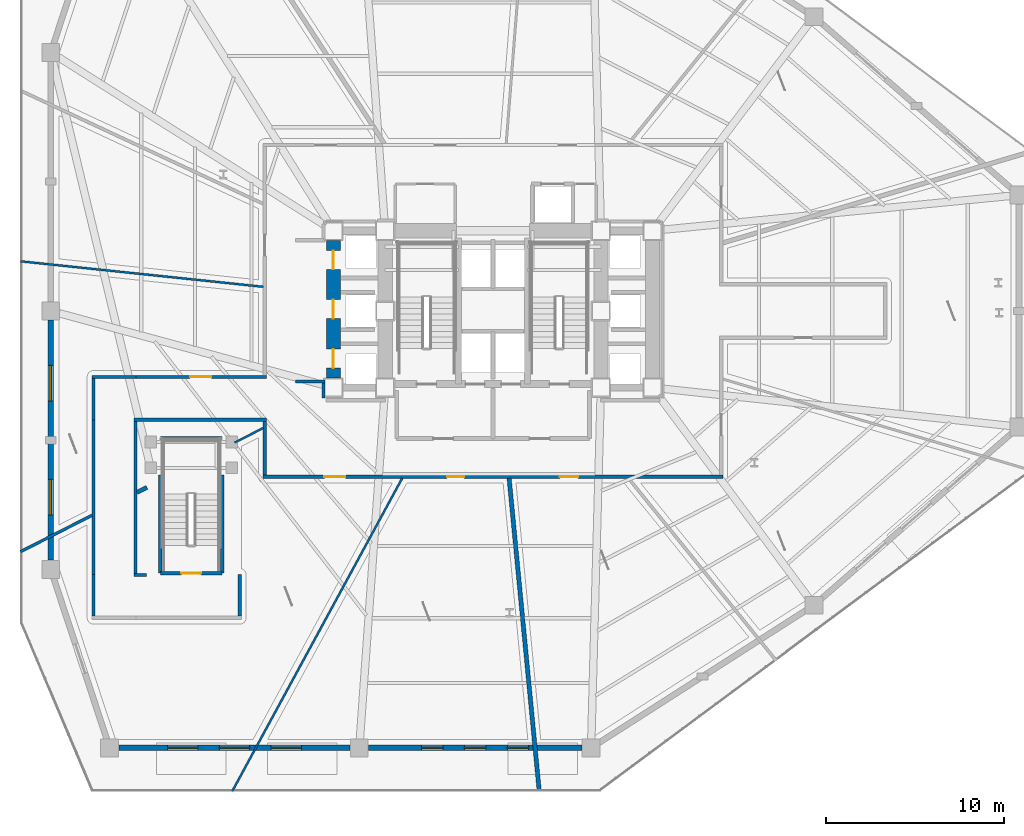
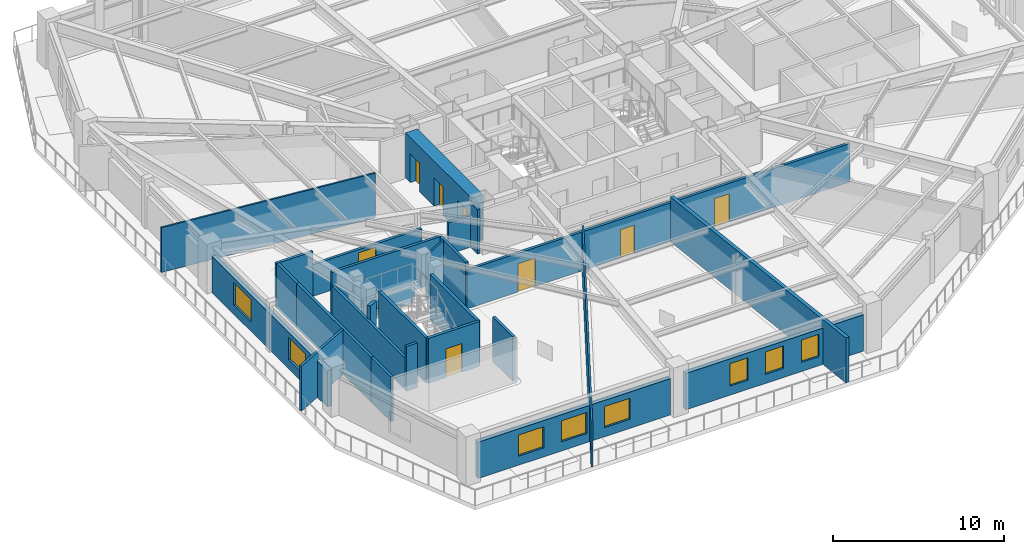
# One storey, part 3 of 10: 27 walls, 8 doors, 8 windows, 16 openings.
"""IFC4 building model written with IfcOpenShell, lengths in metres."""

from ifc_helpers import new_model, si_unit, direction, frame, frame_2d, origin, place, context, subcontext, project, spatial, rectangle, extrude, material, layer, layer_set, type_object, element, fill, save


model = new_model("IFC4")

# Units and contexts
model_context = context("Model", 3, precision=1e-05, world=origin(), true_north=direction((0.0, 1.0)))
body_context = subcontext(model_context, "Body", "Model", "MODEL_VIEW")
ifc_project = project(units=[si_unit("LENGTHUNIT", "METRE"), si_unit("AREAUNIT", "SQUARE_METRE"), si_unit("VOLUMEUNIT", "CUBIC_METRE"), si_unit("PLANEANGLEUNIT", "RADIAN"), si_unit("MASSUNIT", "GRAM", prefix="KILO")], contexts=[model_context])

# Site, building, storey
site_placement = place(None, origin())
site = spatial("IfcSite", under=ifc_project, at=site_placement, CompositionType="ELEMENT")
building_placement = place(site_placement, origin())
building = spatial("IfcBuilding", under=site, at=building_placement, Name="Rocaltana Carrier Exchange", CompositionType="ELEMENT")
storey_placement = place(building_placement, frame((0.0, 0.0, 4.800048828125)))
storey = spatial("IfcBuildingStorey", under=building, at=storey_placement, Name="L02", CompositionType="ELEMENT", Elevation=4.800048828125)

# Wall
ifc_material_1 = material(Name="Double Acoustic Gypsum Partition", Category="gypsum")
ifc_layer_1 = layer(ifc_material_1, 0.159912109375)
ifc_layer_set_1 = layer_set([ifc_layer_1], Name="Double Acoustic Gypsum Partition")
wall_type_1 = type_object("IfcWallType", Name="Acoustic Studio Partition 160 EI60", PredefinedType="PARTITIONING", material=ifc_layer_set_1)
wall_1_placement = place(storey_placement, frame((-22.47998046875, -11.4541015625, 0.0), z_axis=(0.0, 0.0, 1.0), x_axis=(-0.891005547882, -0.453992415843, 0.0)))
element("IfcWall", 1, at=wall_1_placement, inside=storey, type_object=wall_type_1, Name="L02 Suite Divider Wall D3", PredefinedType="PARTITIONING", context=body_context, shape_type="SweptSolid", body=[
    extrude(rectangle(XDim=4.50048828125, YDim=0.159912109375, at=frame_2d((2.250244140625, 0.0))), origin(), (0.0, 0.0, 1.0), 3.19287109375),
])

# Wall, openings, doors
ifc_material_2 = material(Name="Concrete C60/75", Category="concrete")
ifc_layer_2 = layer(ifc_material_2, 0.800048828125)
ifc_layer_set_2 = layer_set([ifc_layer_2], Name="Concrete C60/75")
wall_type_2 = type_object("IfcWallType", Name="Core Shear Wall 800", PredefinedType="SHEAR", material=ifc_layer_set_2)
wall_2_placement = place(storey_placement, frame((-8.949951171875, -3.75, 0.0), z_axis=(0.0, 0.0, 1.0), x_axis=(0.0, 1.0, 0.0)))
wall_2 = element("IfcWall", 2, at=wall_2_placement, inside=storey, type_object=wall_type_2, Name="L02 Core Shear Wall CW-WW", PredefinedType="SHEAR", context=body_context, shape_type="SweptSolid", body=[
    extrude(rectangle(XDim=7.699951171875, YDim=0.800048828125, at=frame_2d((3.85009765625, 0.0))), origin(), (0.0, 0.0, 1.0), 3.218017578125),
])
opening_1_placement = place(wall_2_placement, frame((0.550048828125, 0.0, 0.0)))
opening_1 = element("IfcOpeningElement", 3, at=opening_1_placement, cuts=wall_2, Name="Opening LD-110", PredefinedType="OPENING", context=body_context, shape_type="SweptSolid", body=[
    extrude(rectangle(XDim=1.06005859375, YDim=2.0400390625, at=frame_2d((0.530029296875, 1.02001953125))), frame((0.0, 0.409912109375, 0.0), z_axis=(0.0, -1.0, 0.0), x_axis=(1.0, 0.0, 0.0)), (0.0, 0.0, 1.0), 0.820068359375),
])
opening_2_placement = place(wall_2_placement, frame((3.320068359375, 0.0, 0.0)))
opening_2 = element("IfcOpeningElement", 4, at=opening_2_placement, cuts=wall_2, Name="Opening LD-110", PredefinedType="OPENING", context=body_context, shape_type="SweptSolid", body=[
    extrude(rectangle(XDim=1.06005859375, YDim=2.0400390625, at=frame_2d((0.530029296875, 1.02001953125))), frame((0.0, 0.409912109375, 0.0), z_axis=(0.0, -1.0, 0.0), x_axis=(1.0, 0.0, 0.0)), (0.0, 0.0, 1.0), 0.820068359375),
])
opening_3_placement = place(wall_2_placement, frame((6.080078125, 0.0, 0.0)))
opening_3 = element("IfcOpeningElement", 5, at=opening_3_placement, cuts=wall_2, Name="Opening LD-110", PredefinedType="OPENING", context=body_context, shape_type="SweptSolid", body=[
    extrude(rectangle(XDim=1.06005859375, YDim=2.0400390625, at=frame_2d((0.530029296875, 1.02001953125))), frame((0.0, 0.409912109375, 0.0), z_axis=(0.0, -1.0, 0.0), x_axis=(1.0, 0.0, 0.0)), (0.0, 0.0, 1.0), 0.820068359375),
])
ifc_material_3 = material(Name="Brushed Stainless Sliding Door Leaf", Category="steel")
door_type_1 = type_object("IfcDoorType", Name="Lift Landing Sliding Door 1060x2040", OperationType="NOTDEFINED", PredefinedType="DOOR", material=ifc_material_3)
door_1_placement = place(opening_1_placement, origin())
door_1 = element("IfcDoor", 6, at=door_1_placement, inside=storey, type_object=door_type_1, Name="L02 Low-Rise Lift PL-L1 Landing Door", OperationType="SLIDING_TO_LEFT", OverallHeight=2.0400390625, OverallWidth=1.06005859375, PredefinedType="DOOR", context=body_context, shape_type="SweptSolid", body=[
    extrude(rectangle(XDim=1.06005859375, YDim=2.0400390625, at=frame_2d((0.530029296875, 1.02001953125))), frame((0.0, 0.02490234375, 0.0), z_axis=(0.0, -1.0, 0.0), x_axis=(1.0, 0.0, 0.0)), (0.0, 0.0, 1.0), 0.050048828125),
])
fill(opening_1, door_1)
door_2_placement = place(opening_2_placement, origin())
door_2 = element("IfcDoor", 7, at=door_2_placement, inside=storey, type_object=door_type_1, Name="L02 Low-Rise Lift PL-L2 Landing Door", OperationType="SLIDING_TO_RIGHT", OverallHeight=2.0400390625, OverallWidth=1.06005859375, PredefinedType="DOOR", context=body_context, shape_type="SweptSolid", body=[
    extrude(rectangle(XDim=1.06005859375, YDim=2.0400390625, at=frame_2d((0.530029296875, 1.02001953125))), frame((0.0, 0.02490234375, 0.0), z_axis=(0.0, -1.0, 0.0), x_axis=(1.0, 0.0, 0.0)), (0.0, 0.0, 1.0), 0.050048828125),
])
fill(opening_2, door_2)
door_3_placement = place(opening_3_placement, origin())
door_3 = element("IfcDoor", 8, at=door_3_placement, inside=storey, type_object=door_type_1, Name="L02 Low-Rise Lift PL-L3 Landing Door", OperationType="SLIDING_TO_LEFT", OverallHeight=2.0400390625, OverallWidth=1.06005859375, PredefinedType="DOOR", context=body_context, shape_type="SweptSolid", body=[
    extrude(rectangle(XDim=1.06005859375, YDim=2.0400390625, at=frame_2d((0.530029296875, 1.02001953125))), frame((0.0, 0.02490234375, 0.0), z_axis=(0.0, -1.0, 0.0), x_axis=(1.0, 0.0, 0.0)), (0.0, 0.0, 1.0), 0.050048828125),
])
fill(opening_3, door_3)

# Walls
ifc_material_4 = material(Name="Gypsum & Steel Stud Partition", Category="steel")
ifc_layer_3 = layer(ifc_material_4, 0.179931640625)
ifc_layer_set_3 = layer_set([ifc_layer_3], Name="Gypsum & Steel Stud Partition")
wall_type_3 = type_object("IfcWallType", Name="Corridor Fire Partition 180 EI60", PredefinedType="PARTITIONING", material=ifc_layer_set_3)
wall_3_placement = place(storey_placement, frame((-22.39990234375, -17.110107421875, 0.0), z_axis=(0.0, 0.0, 1.0), x_axis=(0.0, 1.0, 0.0)))
element("IfcWall", 9, at=wall_3_placement, inside=storey, type_object=wall_type_3, Name="L02 Corridor Partition 2", PredefinedType="PARTITIONING", context=body_context, shape_type="SweptSolid", body=[
    extrude(rectangle(XDim=2.330078125, YDim=0.179931640625, at=frame_2d((1.1650390625, 0.0))), origin(), (0.0, 0.0, 1.0), 3.19287109375),
])
wall_4_placement = place(storey_placement, frame((-22.39990234375, -14.820068359375, 0.0), z_axis=(0.0, 0.0, 1.0), x_axis=(0.0, 1.0, 0.0)))
element("IfcWall", 10, at=wall_4_placement, inside=storey, type_object=wall_type_3, Name="L02 Corridor Partition 3", PredefinedType="PARTITIONING", context=body_context, shape_type="SweptSolid", body=[
    extrude(rectangle(XDim=8.739990234375, YDim=0.179931640625, at=frame_2d((4.3701171875, 0.0))), origin(), (0.0, 0.0, 1.0), 3.19287109375),
])
wall_5_placement = place(storey_placement, frame((-22.39990234375, -6.1201171875, 0.0), z_axis=(0.0, 0.0, 1.0), x_axis=(0.0, 1.0, 0.0)))
element("IfcWall", 11, at=wall_5_placement, inside=storey, type_object=wall_type_3, Name="L02 Corridor Partition 4", PredefinedType="PARTITIONING", context=body_context, shape_type="SweptSolid", body=[
    extrude(rectangle(XDim=2.330078125, YDim=0.179931640625, at=frame_2d((1.1650390625, 0.0))), origin(), (0.0, 0.0, 1.0), 3.19287109375),
])
wall_6_placement = place(storey_placement, frame((-22.489990234375, -3.699951171875, 0.0), z_axis=(0.0, 0.0, 1.0), x_axis=(1.0, 0.0, 0.0)))
element("IfcWall", 12, at=wall_6_placement, inside=storey, type_object=wall_type_3, Name="L02 Corridor Partition 5", PredefinedType="PARTITIONING", context=body_context, shape_type="SweptSolid", body=[
    extrude(rectangle(XDim=2.4599609375, YDim=0.179931640625, at=frame_2d((1.22998046875, 0.0))), origin(), (0.0, 0.0, 1.0), 3.19287109375),
])

# Wall, opening, door
wall_7_placement = place(storey_placement, frame((-20.070068359375, -3.699951171875, 0.0), z_axis=(0.0, 0.0, 1.0), x_axis=(1.0, 0.0, 0.0)))
wall_7 = element("IfcWall", 13, at=wall_7_placement, inside=storey, type_object=wall_type_3, Name="L02 Corridor Partition 6", PredefinedType="PARTITIONING", context=body_context, shape_type="SweptSolid", body=[
    extrude(rectangle(XDim=7.360107421875, YDim=0.179931640625, at=frame_2d((3.68017578125, 0.0))), origin(), (0.0, 0.0, 1.0), 2.245849609375),
])
opening_4_placement = place(wall_7_placement, frame((3.090087890625, 0.0, 0.0)))
opening_4 = element("IfcOpeningElement", 14, at=opening_4_placement, cuts=wall_7, Name="Opening D-SU120", PredefinedType="OPENING", context=body_context, shape_type="SweptSolid", body=[
    extrude(rectangle(XDim=1.179931640625, YDim=2.02001953125, at=frame_2d((0.58984375, 1.010009765625))), frame((0.0, 0.099853515625, 0.0), z_axis=(0.0, -1.0, 0.0), x_axis=(1.0, 0.0, 0.0)), (0.0, 0.0, 1.0), 0.199951171875),
])
ifc_material_5 = material(Name="Engineered Hardwood Timber", Category="wood")
door_type_2 = type_object("IfcDoorType", Name="Suite Double Entrance Door 1180x2020", OperationType="NOTDEFINED", PredefinedType="DOOR", material=ifc_material_5)
door_4_placement = place(opening_4_placement, origin())
door_4 = element("IfcDoor", 15, at=door_4_placement, inside=storey, type_object=door_type_2, Name="L02 Carrier Peering Suite Entrance Door", OperationType="SINGLE_SWING_LEFT", OverallHeight=2.02001953125, OverallWidth=1.179931640625, PredefinedType="DOOR", context=body_context, shape_type="SweptSolid", body=[
    extrude(rectangle(XDim=1.179931640625, YDim=2.02001953125, at=frame_2d((0.58984375, 1.010009765625))), frame((0.0, 0.02490234375, 0.0), z_axis=(0.0, -1.0, 0.0), x_axis=(1.0, 0.0, 0.0)), (0.0, 0.0, 1.0), 0.050048828125),
])
fill(opening_4, door_4)

# Wall, openings, doors
wall_8_placement = place(storey_placement, frame((12.889892578125, -9.300048828125, 0.0), z_axis=(0.0, 0.0, 1.0), x_axis=(-1.0, 0.0, 0.0)))
wall_8 = element("IfcWall", 16, at=wall_8_placement, inside=storey, type_object=wall_type_3, Name="L02 Corridor Partition 14", PredefinedType="PARTITIONING", context=body_context, shape_type="SweptSolid", body=[
    extrude(rectangle(XDim=25.77978515625, YDim=0.179931640625, at=frame_2d((12.889892578125, 0.0))), origin(), (0.0, 0.0, 1.0), 2.760009765625),
])
opening_5_placement = place(wall_8_placement, frame((21.166748046875, 0.0, 0.0)))
opening_5 = element("IfcOpeningElement", 17, at=opening_5_placement, cuts=wall_8, Name="Opening D-SU120", PredefinedType="OPENING", context=body_context, shape_type="SweptSolid", body=[
    extrude(rectangle(XDim=1.179931640625, YDim=2.02001953125, at=frame_2d((0.58984375, 1.010009765625))), frame((0.0, 0.099853515625, 0.0), z_axis=(0.0, -1.0, 0.0), x_axis=(1.0, 0.0, 0.0)), (0.0, 0.0, 1.0), 0.199951171875),
])
opening_6_placement = place(wall_8_placement, frame((14.5068359375, 0.0, 0.0)))
opening_6 = element("IfcOpeningElement", 18, at=opening_6_placement, cuts=wall_8, Name="Opening D-RM098", PredefinedType="OPENING", context=body_context, shape_type="SweptSolid", body=[
    extrude(rectangle(XDim=0.9599609375, YDim=2.02001953125, at=frame_2d((0.47998046875, 1.010009765625))), frame((0.0, 0.099853515625, 0.0), z_axis=(0.0, -1.0, 0.0), x_axis=(1.0, 0.0, 0.0)), (0.0, 0.0, 1.0), 0.199951171875),
])
opening_7_placement = place(wall_8_placement, frame((8.119140625, 0.0, 0.0)))
opening_7 = element("IfcOpeningElement", 19, at=opening_7_placement, cuts=wall_8, Name="Opening D-LB104", PredefinedType="OPENING", context=body_context, shape_type="SweptSolid", body=[
    extrude(rectangle(XDim=1.02001953125, YDim=2.02001953125, at=frame_2d((0.510009765625, 1.010009765625))), frame((0.0, 0.099853515625, 0.0), z_axis=(0.0, -1.0, 0.0), x_axis=(1.0, 0.0, 0.0)), (0.0, 0.0, 1.0), 0.199951171875),
])
ifc_material_6 = material(Name="Powder-Coated Aluminium 6063-T6", Category="aluminium")
door_type_3 = type_object("IfcDoorType", Name="Laboratory Acoustic Door 1020x2020", OperationType="NOTDEFINED", PredefinedType="DOOR", material=ifc_material_6)
door_5_placement = place(opening_7_placement, origin())
door_5 = element("IfcDoor", 20, at=door_5_placement, inside=storey, type_object=door_type_3, Name="L02 Optical Switching Laboratory Entrance Door", OperationType="SINGLE_SWING_RIGHT", OverallHeight=2.02001953125, OverallWidth=1.02001953125, PredefinedType="DOOR", context=body_context, shape_type="SweptSolid", body=[
    extrude(rectangle(XDim=1.02001953125, YDim=2.02001953125, at=frame_2d((0.510009765625, 1.010009765625))), frame((0.0, 0.02490234375, 0.0), z_axis=(0.0, -1.0, 0.0), x_axis=(1.0, 0.0, 0.0)), (0.0, 0.0, 1.0), 0.050048828125),
])
fill(opening_7, door_5)
door_6_placement = place(opening_5_placement, origin())
door_6 = element("IfcDoor", 21, at=door_6_placement, inside=storey, type_object=door_type_2, Name="L02 Carrier Peering Suite Entrance Door", OperationType="SINGLE_SWING_RIGHT", OverallHeight=2.02001953125, OverallWidth=1.179931640625, PredefinedType="DOOR", context=body_context, shape_type="SweptSolid", body=[
    extrude(rectangle(XDim=1.179931640625, YDim=2.02001953125, at=frame_2d((0.58984375, 1.010009765625))), frame((0.0, 0.02490234375, 0.0), z_axis=(0.0, -1.0, 0.0), x_axis=(1.0, 0.0, 0.0)), (0.0, 0.0, 1.0), 0.050048828125),
])
fill(opening_5, door_6)
ifc_material_7 = material(Name="Engineered Hardwood Timber", Category="wood")
door_type_4 = type_object("IfcDoorType", Name="Workspace Single Door 960x2020", OperationType="NOTDEFINED", PredefinedType="DOOR", material=ifc_material_7)
door_7_placement = place(opening_6_placement, origin())
door_7 = element("IfcDoor", 22, at=door_7_placement, inside=storey, type_object=door_type_4, Name="L02 Cloud Architecture Office Entrance Door", OperationType="SINGLE_SWING_LEFT", OverallHeight=2.02001953125, OverallWidth=0.9599609375, PredefinedType="DOOR", context=body_context, shape_type="SweptSolid", body=[
    extrude(rectangle(XDim=0.9599609375, YDim=2.02001953125, at=frame_2d((0.47998046875, 1.010009765625))), frame((0.0, 0.02490234375, 0.0), z_axis=(0.0, -1.0, 0.0), x_axis=(1.0, 0.0, 0.0)), (0.0, 0.0, 1.0), 0.050048828125),
])
fill(opening_6, door_7)

# Walls
wall_9_placement = place(storey_placement, frame((-12.800048828125, -9.2099609375, 0.0), z_axis=(0.0, 0.0, 1.0), x_axis=(0.0, 1.0, 0.0)))
element("IfcWall", 23, at=wall_9_placement, inside=storey, type_object=wall_type_3, Name="L02 Corridor Partition 15", PredefinedType="PARTITIONING", context=body_context, shape_type="SweptSolid", body=[
    extrude(rectangle(XDim=3.02001953125, YDim=0.179931640625, at=frame_2d((1.510009765625, 0.0))), origin(), (0.0, 0.0, 1.0), 3.19287109375),
])
wall_10_placement = place(storey_placement, frame((-12.7099609375, -6.10009765625, 0.0), z_axis=(0.0, 0.0, 1.0), x_axis=(-1.0, 0.0, 0.0)))
element("IfcWall", 24, at=wall_10_placement, inside=storey, type_object=wall_type_3, Name="L02 Corridor Partition 16", PredefinedType="PARTITIONING", context=body_context, shape_type="SweptSolid", body=[
    extrude(rectangle(XDim=7.429931640625, YDim=0.179931640625, at=frame_2d((3.71484375, 0.0))), origin(), (0.0, 0.0, 1.0), 3.19287109375),
])
wall_11_placement = place(storey_placement, frame((-20.050048828125, -6.18994140625, 0.0), z_axis=(0.0, 0.0, 1.0), x_axis=(0.0, -1.0, 0.0)))
element("IfcWall", 25, at=wall_11_placement, inside=storey, type_object=wall_type_3, Name="L02 Corridor Partition 17", PredefinedType="PARTITIONING", context=body_context, shape_type="SweptSolid", body=[
    extrude(rectangle(XDim=8.52001953125, YDim=0.179931640625, at=frame_2d((4.260009765625, 0.0))), origin(), (0.0, 0.0, 1.0), 2.245849609375),
])
wall_12_placement = place(storey_placement, frame((-20.139892578125, -14.800048828125, 0.0), z_axis=(0.0, 0.0, 1.0), x_axis=(1.0, 0.0, 0.0)))
element("IfcWall", 26, at=wall_12_placement, inside=storey, type_object=wall_type_3, Name="L02 Corridor Partition 18", PredefinedType="PARTITIONING", context=body_context, shape_type="SweptSolid", body=[
    extrude(rectangle(XDim=0.7099609375, YDim=0.179931640625, at=frame_2d((0.35498046875, 0.0))), origin(), (0.0, 0.0, 1.0), 3.19287109375),
])
wall_13_placement = place(storey_placement, frame((-14.199951171875, -14.780029296875, 0.0), z_axis=(0.0, 0.0, 1.0), x_axis=(0.0, -1.0, 0.0)))
element("IfcWall", 27, at=wall_13_placement, inside=storey, type_object=wall_type_3, Name="L02 Corridor Partition 19", PredefinedType="PARTITIONING", context=body_context, shape_type="SweptSolid", body=[
    extrude(rectangle(XDim=2.330078125, YDim=0.179931640625, at=frame_2d((1.1650390625, 0.0))), origin(), (0.0, 0.0, 1.0), 3.19287109375),
])
wall_14_placement = place(storey_placement, frame((-11.070068359375, -3.9599609375, 0.0), z_axis=(0.0, 0.0, 1.0), x_axis=(1.0, 0.0, 0.0)))
element("IfcWall", 28, at=wall_14_placement, inside=storey, type_object=wall_type_3, Name="L02 Corridor Partition 21", PredefinedType="PARTITIONING", context=body_context, shape_type="SweptSolid", body=[
    extrude(rectangle(XDim=1.650146484375, YDim=0.179931640625, at=frame_2d((0.8251953125, 0.0))), origin(), (0.0, 0.0, 1.0), 2.245849609375),
])
wall_15_placement = place(storey_placement, frame((-9.510009765625, -4.050048828125, 0.0), z_axis=(0.0, 0.0, 1.0), x_axis=(0.0, -1.0, 0.0)))
element("IfcWall", 29, at=wall_15_placement, inside=storey, type_object=wall_type_3, Name="L02 Corridor Partition 22", PredefinedType="PARTITIONING", context=body_context, shape_type="SweptSolid", body=[
    extrude(rectangle(XDim=0.820068359375, YDim=0.179931640625, at=frame_2d((0.41015625, 0.0))), origin(), (0.0, 0.0, 1.0), 3.19287109375),
])
ifc_material_8 = material(Name="Aluminium 6063-T6 & Acoustic Glass", Category="aluminium")
ifc_layer_4 = layer(ifc_material_8, 0.114990234375)
ifc_layer_set_4 = layer_set([ifc_layer_4], Name="Aluminium 6063-T6 & Acoustic Glass")
wall_type_4 = type_object("IfcWallType", Name="Demountable Glazed Lab Partition 115", PredefinedType="MOVABLE", material=ifc_layer_set_4)
wall_16_placement = place(storey_placement, frame((-12.8798828125, -6.562744140625, 0.0), z_axis=(0.0, 0.0, 1.0), x_axis=(-0.891024030563, -0.453956139908, 0.0)))
element("IfcWall", 30, at=wall_16_placement, inside=storey, type_object=wall_type_4, Name="L02 Suite Divider Wall D1", PredefinedType="MOVABLE", context=body_context, shape_type="SweptSolid", body=[
    extrude(rectangle(XDim=1.80712890625, YDim=0.114990234375, at=frame_2d((0.903564453125, 0.0))), origin(), (0.0, 0.0, 1.0), 3.19287109375),
])
wall_17_placement = place(storey_placement, frame((-5.093017578125, -9.3798828125, 0.0), z_axis=(0.0, 0.0, 1.0), x_axis=(-0.477152799659, -0.878820348978, 0.0)))
element("IfcWall", 31, at=wall_17_placement, inside=storey, type_object=wall_type_4, Name="L02 Suite Divider Wall D4", PredefinedType="MOVABLE", context=body_context, shape_type="SweptSolid", body=[
    extrude(rectangle(XDim=19.9814453125, YDim=0.114990234375, at=frame_2d((9.99072265625, 0.0))), origin(), (0.0, 0.0, 1.0), 3.19287109375),
])
wall_18_placement = place(storey_placement, frame((-12.8798828125, 1.353759765625, 0.0), z_axis=(0.0, 0.0, 1.0), x_axis=(-0.994522351217, 0.104524126066, 0.0)))
element("IfcWall", 32, at=wall_18_placement, inside=storey, type_object=wall_type_4, Name="L02 Suite Divider Wall D13", PredefinedType="MOVABLE", context=body_context, shape_type="SweptSolid", body=[
    extrude(rectangle(XDim=13.68505859375, YDim=0.114990234375, at=frame_2d((6.842529296875, 0.0))), origin(), (0.0, 0.0, 1.0), 3.19287109375),
])
ifc_material_9 = material(Name="Acoustic Calcium Silicate Partition", Category="gypsum")
ifc_layer_5 = layer(ifc_material_9, 0.239990234375)
ifc_layer_set_5 = layer_set([ifc_layer_5], Name="Acoustic Calcium Silicate Partition")
wall_type_5 = type_object("IfcWallType", Name="Heavy Lab Partition 240 EI90", PredefinedType="PARTITIONING", material=ifc_layer_set_5)
wall_19_placement = place(storey_placement, frame((-19.409912109375, -9.889892578125, 0.0), z_axis=(0.0, 0.0, 1.0), x_axis=(-0.890983173506, -0.454036325121, 0.0)))
element("IfcWall", 33, at=wall_19_placement, inside=storey, type_object=wall_type_5, Name="L02 Suite Divider Wall D2", PredefinedType="PARTITIONING", context=body_context, shape_type="SweptSolid", body=[
    extrude(rectangle(XDim=0.628662109375, YDim=0.239990234375, at=frame_2d((0.314453125, 0.0))), origin(), (0.0, 0.0, 1.0), 3.19287109375),
])
wall_20_placement = place(storey_placement, frame((0.9033203125, -9.3798828125, 0.0), z_axis=(0.0, 0.0, 1.0), x_axis=(0.095836344943, -0.995397104169, 0.0)))
element("IfcWall", 34, at=wall_20_placement, inside=storey, type_object=wall_type_5, Name="L02 Suite Divider Wall D5", PredefinedType="PARTITIONING", context=body_context, shape_type="SweptSolid", body=[
    extrude(rectangle(XDim=17.641357421875, YDim=0.239990234375, at=frame_2d((8.82080078125, 0.0))), origin(), (0.0, 0.0, 1.0), 3.19287109375),
])
ifc_material_10 = material(Name="Reinforced Concrete Block C35/45", Category="concrete")
ifc_layer_6 = layer(ifc_material_10, 0.199951171875)
ifc_layer_set_6 = layer_set([ifc_layer_6], Name="Reinforced Concrete Block C35/45")
wall_type_6 = type_object("IfcWallType", Name="Lift Hoistway Enclosure Wall 200 EI120", PredefinedType="PARTITIONING", material=ifc_layer_set_6)
for number, where, z_axis, x_axis, name in (
    (35, (-18.64990234375, -14.699951171875, 0.0), (0.0, 0.0, 1.0), (0.0, 1.0, 0.0), "L02 Podium Stair ST-3 West Wall"),
    (36, (-15.18994140625, -14.699951171875, 0.0), (0.0, 0.0, 1.0), (0.0, 1.0, 0.0), "L02 Podium Stair ST-3 East Wall"),
):
    element("IfcWall", number, at=place(storey_placement, frame(where, z_axis=z_axis, x_axis=x_axis)), inside=storey, type_object=wall_type_6, Name=name, PredefinedType="PARTITIONING", context=body_context, shape_type="SweptSolid", body=[
        extrude(rectangle(XDim=5.5, YDim=0.199951171875, at=frame_2d((2.75, 0.0))), origin(), (0.0, 0.0, 1.0), 3.19287109375),
    ])
wall_21_placement = place(storey_placement, frame((-18.64990234375, -7.14990234375, 0.0), z_axis=(0.0, 0.0, 1.0), x_axis=(1.0, 0.0, 0.0)))
element("IfcWall", 37, at=wall_21_placement, inside=storey, type_object=wall_type_6, Name="L02 Podium Stair ST-3 North Wall", PredefinedType="PARTITIONING", context=body_context, shape_type="SweptSolid", body=[
    extrude(rectangle(XDim=3.4599609375, YDim=0.199951171875, at=frame_2d((1.72998046875, 0.0))), origin(), (0.0, 0.0, 1.0), 1.300048828125),
])

# Wall, opening, door
wall_22_placement = place(storey_placement, frame((-18.64990234375, -14.719970703125, 0.0), z_axis=(0.0, 0.0, 1.0), x_axis=(1.0, 0.0, 0.0)))
wall_22 = element("IfcWall", 38, at=wall_22_placement, inside=storey, type_object=wall_type_6, Name="L02 Podium Stair ST-3 South Landing Wall", PredefinedType="PARTITIONING", context=body_context, shape_type="SweptSolid", body=[
    extrude(rectangle(XDim=3.4599609375, YDim=0.199951171875, at=frame_2d((1.72998046875, 0.0))), origin(), (0.0, 0.0, 1.0), 3.19287109375),
])
opening_8_placement = place(wall_22_placement, frame((1.179931640625, 0.0, 0.0)))
opening_8 = element("IfcOpeningElement", 39, at=opening_8_placement, cuts=wall_22, Name="Opening D-ST110", PredefinedType="OPENING", context=body_context, shape_type="SweptSolid", body=[
    extrude(rectangle(XDim=1.10009765625, YDim=2.0400390625, at=frame_2d((0.550048828125, 1.02001953125))), frame((0.0, 0.10986328125, 0.0), z_axis=(0.0, -1.0, 0.0), x_axis=(1.0, 0.0, 0.0)), (0.0, 0.0, 1.0), 0.219970703125),
])
ifc_material_11 = material(Name="Hollow Metal Fire Door Assembly", Category="steel")
door_type_5 = type_object("IfcDoorType", Name="Exit Stair Fire Door 1100x2040 FD90S", OperationType="NOTDEFINED", PredefinedType="DOOR", material=ifc_material_11)
door_8_placement = place(opening_8_placement, origin())
door_8 = element("IfcDoor", 40, at=door_8_placement, inside=storey, type_object=door_type_5, Name="L02 Podium Stair ST-3 Fire Door", OperationType="SINGLE_SWING_RIGHT", OverallHeight=2.0400390625, OverallWidth=1.10009765625, PredefinedType="DOOR", context=body_context, shape_type="SweptSolid", body=[
    extrude(rectangle(XDim=1.10009765625, YDim=2.0400390625, at=frame_2d((0.550048828125, 1.02001953125))), frame((0.0, 0.02490234375, 0.0), z_axis=(0.0, -1.0, 0.0), x_axis=(1.0, 0.0, 0.0)), (0.0, 0.0, 1.0), 0.050048828125),
])
fill(opening_8, door_8)

# Wall, openings, windows
ifc_material_12 = material(Name="Precast sandstone concrete C45/55", Category="masonry")
ifc_layer_7 = layer(ifc_material_12, 0.320068359375)
ifc_layer_set_7 = layer_set([ifc_layer_7], Name="Precast sandstone concrete C45/55")
wall_type_7 = type_object("IfcWallType", Name="Precast Sandstone Facade Wall 320", PredefinedType="SOLIDWALL", material=ifc_layer_set_7)
wall_23_placement = place(storey_placement, frame((-8.02001953125, -24.5, 0.0), z_axis=(0.0, 0.0, 1.0), x_axis=(-1.0, 0.0, 0.0)))
wall_23 = element("IfcWall", 41, at=wall_23_placement, inside=storey, type_object=wall_type_7, Name="L02 Sandstone Facade Wall B01", PredefinedType="SOLIDWALL", context=body_context, shape_type="SweptSolid", body=[
    extrude(rectangle(XDim=12.9599609375, YDim=0.320068359375, at=frame_2d((6.47998046875, 0.0))), origin(), (0.0, 0.0, 1.0), 2.587890625),
])
opening_9_placement = place(wall_23_placement, frame((2.72998046875, 0.0, 0.64990234375)))
opening_9 = element("IfcOpeningElement", 42, at=opening_9_placement, cuts=wall_23, Name="Opening W-02", PredefinedType="OPENING", context=body_context, shape_type="SweptSolid", body=[
    extrude(rectangle(XDim=1.699951171875, YDim=1.5, at=frame_2d((0.85009765625, 0.75))), frame((0.0, 0.169921875, 0.0), z_axis=(0.0, -1.0, 0.0), x_axis=(1.0, 0.0, 0.0)), (0.0, 0.0, 1.0), 0.340087890625),
])
opening_10_placement = place(wall_23_placement, frame((5.6298828125, 0.0, 0.64990234375)))
opening_10 = element("IfcOpeningElement", 43, at=opening_10_placement, cuts=wall_23, Name="Opening W-02", PredefinedType="OPENING", context=body_context, shape_type="SweptSolid", body=[
    extrude(rectangle(XDim=1.699951171875, YDim=1.5, at=frame_2d((0.85009765625, 0.75))), frame((0.0, 0.169921875, 0.0), z_axis=(0.0, -1.0, 0.0), x_axis=(1.0, 0.0, 0.0)), (0.0, 0.0, 1.0), 0.340087890625),
])
opening_11_placement = place(wall_23_placement, frame((8.530029296875, 0.0, 0.64990234375)))
opening_11 = element("IfcOpeningElement", 44, at=opening_11_placement, cuts=wall_23, Name="Opening W-02", PredefinedType="OPENING", context=body_context, shape_type="SweptSolid", body=[
    extrude(rectangle(XDim=1.699951171875, YDim=1.5, at=frame_2d((0.85009765625, 0.75))), frame((0.0, 0.169921875, 0.0), z_axis=(0.0, -1.0, 0.0), x_axis=(1.0, 0.0, 0.0)), (0.0, 0.0, 1.0), 0.340087890625),
])
ifc_material_13 = material(Name="Aluminium 6063-T6 & Double Glazing", Category="aluminium")
window_type_1 = type_object("IfcWindowType", Name="Podium Technical Window 1700x1500", PartitioningType="SINGLE_PANEL", PredefinedType="WINDOW", material=ifc_material_13)
window_1_placement = place(opening_9_placement, origin())
window_1 = element("IfcWindow", 45, at=window_1_placement, inside=storey, type_object=window_type_1, Name="L02 Punched Window B01-1", OverallHeight=1.5, OverallWidth=1.699951171875, PartitioningType="SINGLE_PANEL", PredefinedType="WINDOW", context=body_context, shape_type="SweptSolid", body=[
    extrude(rectangle(XDim=1.699951171875, YDim=1.5, at=frame_2d((0.85009765625, 0.75))), frame((0.0, 0.030029296875, 0.0), z_axis=(0.0, -1.0, 0.0), x_axis=(1.0, 0.0, 0.0)), (0.0, 0.0, 1.0), 0.06005859375),
])
fill(opening_9, window_1)
window_2_placement = place(opening_10_placement, origin())
window_2 = element("IfcWindow", 46, at=window_2_placement, inside=storey, type_object=window_type_1, Name="L02 Punched Window B01-2", OverallHeight=1.5, OverallWidth=1.699951171875, PartitioningType="SINGLE_PANEL", PredefinedType="WINDOW", context=body_context, shape_type="SweptSolid", body=[
    extrude(rectangle(XDim=1.699951171875, YDim=1.5, at=frame_2d((0.85009765625, 0.75))), frame((0.0, 0.030029296875, 0.0), z_axis=(0.0, -1.0, 0.0), x_axis=(1.0, 0.0, 0.0)), (0.0, 0.0, 1.0), 0.06005859375),
])
fill(opening_10, window_2)
window_3_placement = place(opening_11_placement, origin())
window_3 = element("IfcWindow", 47, at=window_3_placement, inside=storey, type_object=window_type_1, Name="L02 Punched Window B01-3", OverallHeight=1.5, OverallWidth=1.699951171875, PartitioningType="SINGLE_PANEL", PredefinedType="WINDOW", context=body_context, shape_type="SweptSolid", body=[
    extrude(rectangle(XDim=1.699951171875, YDim=1.5, at=frame_2d((0.85009765625, 0.75))), frame((0.0, 0.030029296875, 0.0), z_axis=(0.0, -1.0, 0.0), x_axis=(1.0, 0.0, 0.0)), (0.0, 0.0, 1.0), 0.06005859375),
])
fill(opening_11, window_3)

wall_24_placement = place(storey_placement, frame((4.97998046875, -24.5, 0.0), z_axis=(0.0, 0.0, 1.0), x_axis=(-1.0, 0.0, 0.0)))
wall_24 = element("IfcWall", 48, at=wall_24_placement, inside=storey, type_object=wall_type_7, Name="L02 Sandstone Facade Wall B02", PredefinedType="SOLIDWALL", context=body_context, shape_type="SweptSolid", body=[
    extrude(rectangle(XDim=11.9599609375, YDim=0.320068359375, at=frame_2d((5.97998046875, 0.0))), origin(), (0.0, 0.0, 1.0), 2.587890625),
])
opening_12_placement = place(wall_24_placement, frame((2.97998046875, 0.0, 0.64990234375)))
opening_12 = element("IfcOpeningElement", 49, at=opening_12_placement, cuts=wall_24, Name="Opening W-03", PredefinedType="OPENING", context=body_context, shape_type="SweptSolid", body=[
    extrude(rectangle(XDim=1.199951171875, YDim=1.60009765625, at=frame_2d((0.60009765625, 0.800048828125))), frame((0.0, 0.169921875, 0.0), z_axis=(0.0, -1.0, 0.0), x_axis=(1.0, 0.0, 0.0)), (0.0, 0.0, 1.0), 0.340087890625),
])
opening_13_placement = place(wall_24_placement, frame((5.3798828125, 0.0, 0.64990234375)))
opening_13 = element("IfcOpeningElement", 50, at=opening_13_placement, cuts=wall_24, Name="Opening W-03", PredefinedType="OPENING", context=body_context, shape_type="SweptSolid", body=[
    extrude(rectangle(XDim=1.199951171875, YDim=1.60009765625, at=frame_2d((0.60009765625, 0.800048828125))), frame((0.0, 0.169921875, 0.0), z_axis=(0.0, -1.0, 0.0), x_axis=(1.0, 0.0, 0.0)), (0.0, 0.0, 1.0), 0.340087890625),
])
opening_14_placement = place(wall_24_placement, frame((7.780029296875, 0.0, 0.64990234375)))
opening_14 = element("IfcOpeningElement", 51, at=opening_14_placement, cuts=wall_24, Name="Opening W-03", PredefinedType="OPENING", context=body_context, shape_type="SweptSolid", body=[
    extrude(rectangle(XDim=1.199951171875, YDim=1.60009765625, at=frame_2d((0.60009765625, 0.800048828125))), frame((0.0, 0.169921875, 0.0), z_axis=(0.0, -1.0, 0.0), x_axis=(1.0, 0.0, 0.0)), (0.0, 0.0, 1.0), 0.340087890625),
])
ifc_material_14 = material(Name="Aluminium 6063-T6 & Double Glazing", Category="aluminium")
window_type_2 = type_object("IfcWindowType", Name="Podium Narrow Slot Window 1200x1600", PartitioningType="SINGLE_PANEL", PredefinedType="WINDOW", material=ifc_material_14)
window_4_placement = place(opening_12_placement, origin())
window_4 = element("IfcWindow", 52, at=window_4_placement, inside=storey, type_object=window_type_2, Name="L02 Punched Window B02-1", OverallHeight=1.60009765625, OverallWidth=1.199951171875, PartitioningType="SINGLE_PANEL", PredefinedType="WINDOW", context=body_context, shape_type="SweptSolid", body=[
    extrude(rectangle(XDim=1.199951171875, YDim=1.60009765625, at=frame_2d((0.60009765625, 0.800048828125))), frame((0.0, 0.030029296875, 0.0), z_axis=(0.0, -1.0, 0.0), x_axis=(1.0, 0.0, 0.0)), (0.0, 0.0, 1.0), 0.06005859375),
])
fill(opening_12, window_4)
window_5_placement = place(opening_13_placement, origin())
window_5 = element("IfcWindow", 53, at=window_5_placement, inside=storey, type_object=window_type_2, Name="L02 Punched Window B02-2", OverallHeight=1.60009765625, OverallWidth=1.199951171875, PartitioningType="SINGLE_PANEL", PredefinedType="WINDOW", context=body_context, shape_type="SweptSolid", body=[
    extrude(rectangle(XDim=1.199951171875, YDim=1.60009765625, at=frame_2d((0.60009765625, 0.800048828125))), frame((0.0, 0.030029296875, 0.0), z_axis=(0.0, -1.0, 0.0), x_axis=(1.0, 0.0, 0.0)), (0.0, 0.0, 1.0), 0.06005859375),
])
fill(opening_13, window_5)
window_6_placement = place(opening_14_placement, origin())
window_6 = element("IfcWindow", 54, at=window_6_placement, inside=storey, type_object=window_type_2, Name="L02 Punched Window B02-3", OverallHeight=1.60009765625, OverallWidth=1.199951171875, PartitioningType="SINGLE_PANEL", PredefinedType="WINDOW", context=body_context, shape_type="SweptSolid", body=[
    extrude(rectangle(XDim=1.199951171875, YDim=1.60009765625, at=frame_2d((0.60009765625, 0.800048828125))), frame((0.0, 0.030029296875, 0.0), z_axis=(0.0, -1.0, 0.0), x_axis=(1.0, 0.0, 0.0)), (0.0, 0.0, 1.0), 0.06005859375),
])
fill(opening_14, window_6)

wall_25_placement = place(storey_placement, frame((-24.800048828125, -13.97998046875, 0.0), z_axis=(0.0, 0.0, 1.0), x_axis=(0.0, 1.0, 0.0)))
wall_25 = element("IfcWall", 55, at=wall_25_placement, inside=storey, type_object=wall_type_7, Name="L02 Sandstone Facade Wall B12", PredefinedType="SOLIDWALL", context=body_context, shape_type="SweptSolid", body=[
    extrude(rectangle(XDim=13.4599609375, YDim=0.320068359375, at=frame_2d((6.72998046875, 0.0))), origin(), (0.0, 0.0, 1.0), 2.587890625),
])
opening_15_placement = place(wall_25_placement, frame((2.530029296875, 0.0, 0.64990234375)))
opening_15 = element("IfcOpeningElement", 56, at=opening_15_placement, cuts=wall_25, Name="Opening W-01", PredefinedType="OPENING", context=body_context, shape_type="SweptSolid", body=[
    extrude(rectangle(XDim=2.0, YDim=1.60009765625, at=frame_2d((1.0, 0.800048828125))), frame((0.0, 0.169921875, 0.0), z_axis=(0.0, -1.0, 0.0), x_axis=(1.0, 0.0, 0.0)), (0.0, 0.0, 1.0), 0.340087890625),
])
opening_16_placement = place(wall_25_placement, frame((8.929931640625, 0.0, 0.64990234375)))
opening_16 = element("IfcOpeningElement", 57, at=opening_16_placement, cuts=wall_25, Name="Opening W-01", PredefinedType="OPENING", context=body_context, shape_type="SweptSolid", body=[
    extrude(rectangle(XDim=2.0, YDim=1.60009765625, at=frame_2d((1.0, 0.800048828125))), frame((0.0, 0.169921875, 0.0), z_axis=(0.0, -1.0, 0.0), x_axis=(1.0, 0.0, 0.0)), (0.0, 0.0, 1.0), 0.340087890625),
])
ifc_material_15 = material(Name="Aluminium 6063-T6 & Double Glazing", Category="aluminium")
window_type_3 = type_object("IfcWindowType", Name="Concourse Gallery Window 2000x1600", PartitioningType="SINGLE_PANEL", PredefinedType="WINDOW", material=ifc_material_15)
window_7_placement = place(opening_15_placement, origin())
window_7 = element("IfcWindow", 58, at=window_7_placement, inside=storey, type_object=window_type_3, Name="L02 Punched Window B12-1", OverallHeight=1.60009765625, OverallWidth=2.0, PartitioningType="SINGLE_PANEL", PredefinedType="WINDOW", context=body_context, shape_type="SweptSolid", body=[
    extrude(rectangle(XDim=2.0, YDim=1.60009765625, at=frame_2d((1.0, 0.800048828125))), frame((0.0, 0.030029296875, 0.0), z_axis=(0.0, -1.0, 0.0), x_axis=(1.0, 0.0, 0.0)), (0.0, 0.0, 1.0), 0.06005859375),
])
fill(opening_15, window_7)
window_8_placement = place(opening_16_placement, origin())
window_8 = element("IfcWindow", 59, at=window_8_placement, inside=storey, type_object=window_type_3, Name="L02 Punched Window B12-3", OverallHeight=1.60009765625, OverallWidth=2.0, PartitioningType="SINGLE_PANEL", PredefinedType="WINDOW", context=body_context, shape_type="SweptSolid", body=[
    extrude(rectangle(XDim=2.0, YDim=1.60009765625, at=frame_2d((1.0, 0.800048828125))), frame((0.0, 0.030029296875, 0.0), z_axis=(0.0, -1.0, 0.0), x_axis=(1.0, 0.0, 0.0)), (0.0, 0.0, 1.0), 0.06005859375),
])
fill(opening_16, window_8)

save(model, "model.ifc")
